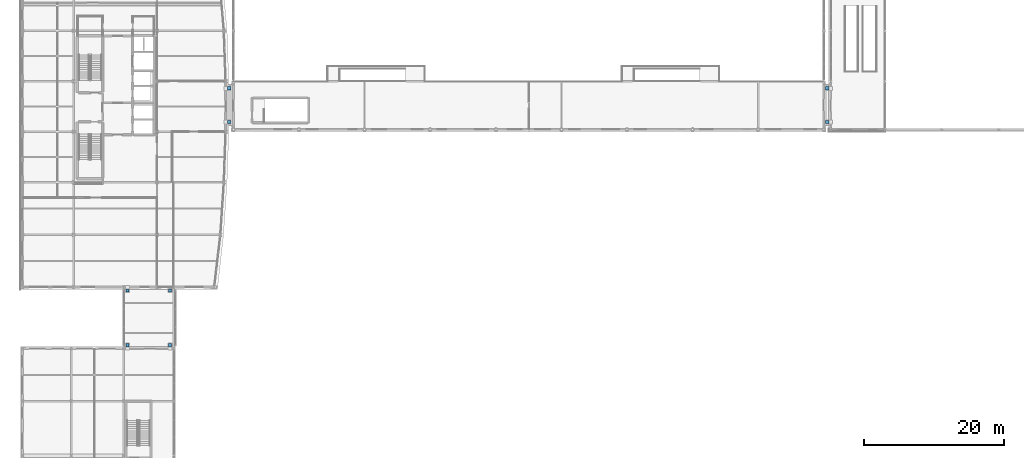
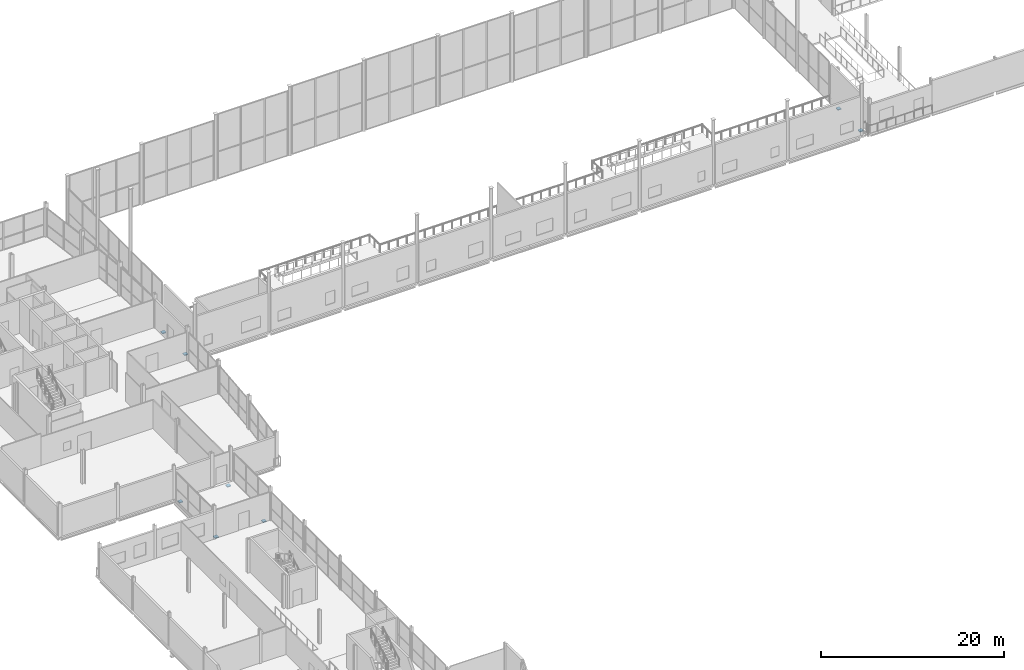
# One storey, part 71 of 77: 8 discrete accessories.
"""IFC4 building model written with IfcOpenShell, lengths in metres."""

from ifc_helpers import new_model, si_unit, direction, frame, origin, origin_2d, place, context, subcontext, project, spatial, rectangle, extrude, material, type_object, element, save


model = new_model("IFC4")

# Units and contexts
model_context = context("Model", 3, precision=1e-05, world=origin(), true_north=direction((0.0, 1.0)))
body_context = subcontext(model_context, "Body", "Model", "MODEL_VIEW")
ifc_project = project(units=[si_unit("LENGTHUNIT", "METRE"), si_unit("AREAUNIT", "SQUARE_METRE"), si_unit("VOLUMEUNIT", "CUBIC_METRE"), si_unit("PLANEANGLEUNIT", "RADIAN"), si_unit("MASSUNIT", "GRAM", prefix="KILO")], contexts=[model_context])

# Site, building, storey
site_placement = place(None, origin())
site = spatial("IfcSite", under=ifc_project, at=site_placement, CompositionType="ELEMENT")
building_placement = place(site_placement, origin())
building = spatial("IfcBuilding", under=site, at=building_placement, Name="Quillay Park Conservatory", CompositionType="ELEMENT")
storey_placement = place(building_placement, frame((0.0, 0.0, 5.39990234375)))
storey = spatial("IfcBuildingStorey", under=building, at=storey_placement, Name="L01", CompositionType="ELEMENT", Elevation=5.39990234375)

# Discrete accessories
ifc_material = material(Name="Steel ASTM A572 Grade 50", Category="steel")
discrete_accessory_type = type_object("IfcDiscreteAccessoryType", Name="PTFE SLIDING BRIDGE BEARING SB01", PredefinedType="USERDEFINED", material=ifc_material)
for number, where, z_axis, x_axis, name in (
    (1, (15.550048828125, 54.75, -0.33984375), (0.0, 0.0, 1.0), (1.0, 0.0, 0.0), "Unguided biaxial PTFE sliding bearing SB-01"),
    (2, (21.60009765625, 54.75, -0.33984375), (0.0, 0.0, 1.0), (1.0, 0.0, 0.0), "Unguided biaxial PTFE sliding bearing SB-02"),
    (3, (15.550048828125, 62.550048828125, -0.33984375), (0.0, 0.0, 1.0), (1.0, 0.0, 0.0), "Unguided biaxial PTFE sliding bearing SB-03"),
    (4, (21.60009765625, 62.550048828125, -0.33984375), (0.0, 0.0, 1.0), (1.0, 0.0, 0.0), "Unguided biaxial PTFE sliding bearing SB-04"),
    (5, (30.06005859375, 86.60009765625, -0.320068359375), (0.0, 0.0, 1.0), (1.0, 0.0, 0.0), "Unguided biaxial PTFE sliding bearing SB-09"),
    (6, (30.06005859375, 91.39990234375, -0.320068359375), (0.0, 0.0, 1.0), (1.0, 0.0, 0.0), "Unguided biaxial PTFE sliding bearing SB-10"),
    (7, (115.35009765625, 86.60009765625, -0.320068359375), (0.0, 0.0, 1.0), (1.0, 0.0, 0.0), "Unguided biaxial PTFE sliding bearing SB-11"),
    (8, (115.35009765625, 91.39990234375, -0.320068359375), (0.0, 0.0, 1.0), (1.0, 0.0, 0.0), "Unguided biaxial PTFE sliding bearing SB-12"),
):
    element("IfcDiscreteAccessory", number, at=place(storey_placement, frame(where, z_axis=z_axis, x_axis=x_axis)), inside=storey, type_object=discrete_accessory_type, Name=name, ObjectType="SLIDING BEARING", PredefinedType="USERDEFINED", context=body_context, shape_type="SweptSolid", body=[
        extrude(rectangle(XDim=0.449951171875, YDim=0.449951171875, at=origin_2d()), origin(), (0.0, 0.0, 1.0), 0.1201171875),
    ])

save(model, "model.ifc")
